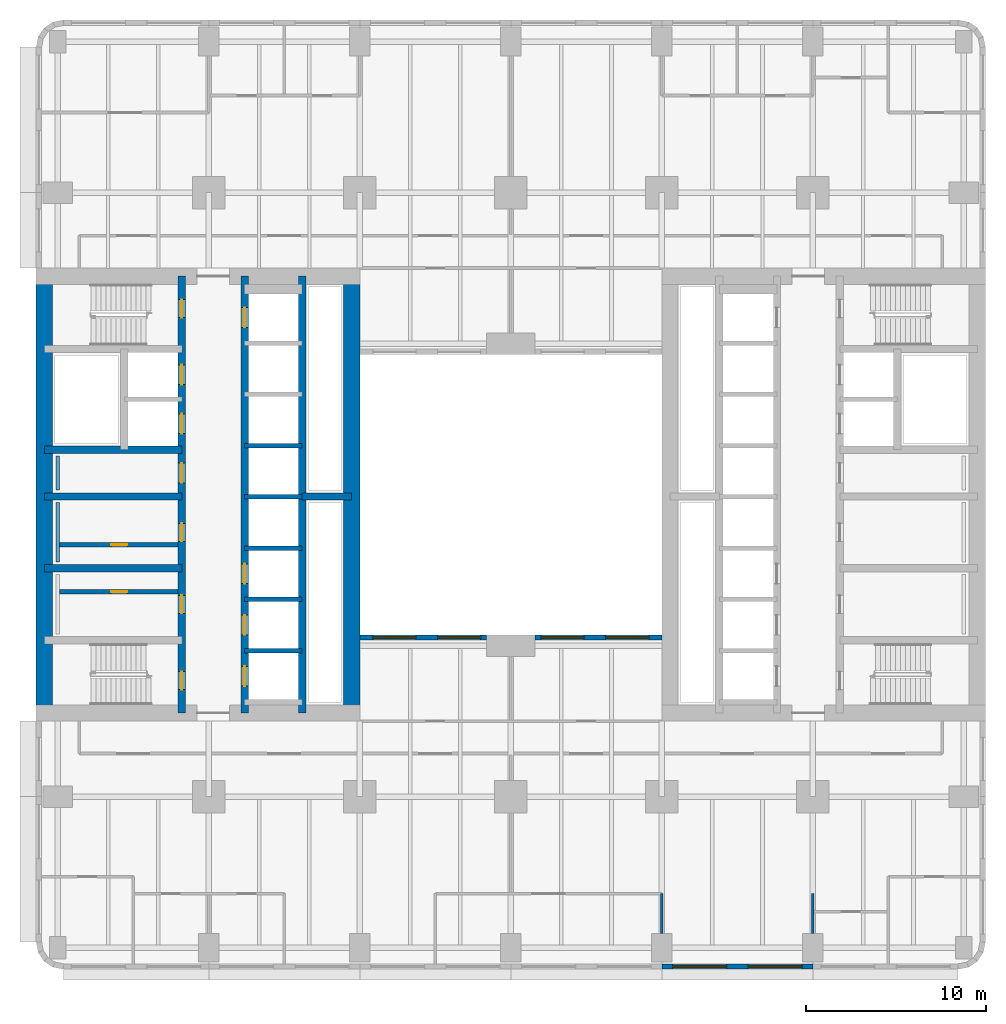
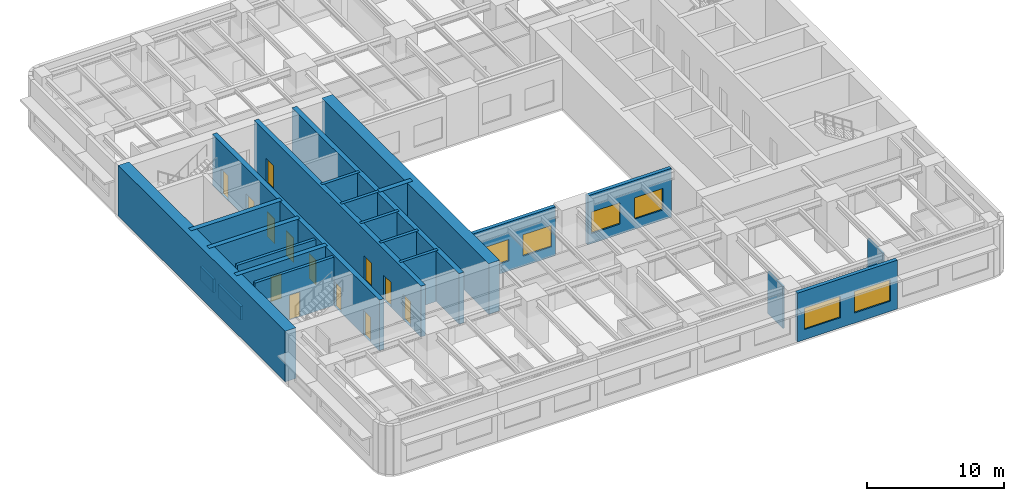
# One storey, part 4 of 12: 23 walls, 13 doors, 6 windows, 19 openings.
"""IFC4 building model written with IfcOpenShell, lengths in metres."""

from ifc_helpers import new_model, si_unit, direction, frame, frame_2d, origin, place, context, subcontext, project, spatial, rectangle, extrude, material, layer, layer_set, type_object, element, fill, save


model = new_model("IFC4")

# Units and contexts
model_context = context("Model", 3, precision=1e-05, world=origin(), true_north=direction((0.0, 1.0)))
body_context = subcontext(model_context, "Body", "Model", "MODEL_VIEW")
ifc_project = project(units=[si_unit("LENGTHUNIT", "METRE"), si_unit("AREAUNIT", "SQUARE_METRE"), si_unit("VOLUMEUNIT", "CUBIC_METRE"), si_unit("PLANEANGLEUNIT", "RADIAN"), si_unit("MASSUNIT", "GRAM", prefix="KILO")], contexts=[model_context])

# Site, building, storey
site_placement = place(None, origin())
site = spatial("IfcSite", under=ifc_project, at=site_placement, CompositionType="ELEMENT")
building_placement = place(site_placement, origin())
building = spatial("IfcBuilding", under=site, at=building_placement, Name="Claustro Exchange Tower", CompositionType="ELEMENT")
storey_placement = place(building_placement, frame((0.0, 0.0, 50.39990234375)))
storey = spatial("IfcBuildingStorey", under=building, at=storey_placement, Name="L11", CompositionType="ELEMENT", Elevation=50.39990234375)

# Walls
ifc_material_1 = material(Name="Gypsum board on steel studs", Category="steel")
ifc_layer_1 = layer(ifc_material_1, 0.14990234375)
ifc_layer_set_1 = layer_set([ifc_layer_1], Name="Gypsum board on steel studs")
wall_type_1 = type_object("IfcWallType", Name="P1 150 plasterboard partition", PredefinedType="PARTITIONING", material=ifc_layer_set_1)
for number, where, z_axis, x_axis, name in (
    (1, (33.60009765625, 0.799072265625, 0.0), (0.0, 0.0, 1.0), (0.0, 1.0, 0.0), "Partition P1 L11"),
    (2, (42.0, 0.799072265625, 0.0), (0.0, 0.0, 1.0), (0.0, 1.0, 0.0), "Partition P1 L11"),
):
    element("IfcWall", number, at=place(storey_placement, frame(where, z_axis=z_axis, x_axis=x_axis)), inside=storey, type_object=wall_type_1, Name=name, PredefinedType="PARTITIONING", context=body_context, shape_type="SweptSolid", body=[
        extrude(rectangle(XDim=2.200927734375, YDim=0.14990234375, at=frame_2d((1.1005859375, 0.0))), origin(), (0.0, 0.0, 1.0), 3.739990234375),
    ])

# Wall, opening, door
ifc_material_2 = material(Name="Concrete blockwork, rendered", Category="masonry")
ifc_layer_2 = layer(ifc_material_2, 0.25)
ifc_layer_set_2 = layer_set([ifc_layer_2], Name="Concrete blockwork, rendered")
wall_type_2 = type_object("IfcWallType", Name="P4 250 blockwork wall", PredefinedType="PARTITIONING", material=ifc_layer_set_2)
wall_1_placement = place(storey_placement, frame((0.10009765625, 22.39990234375, 0.0), z_axis=(0.0, 0.0, 1.0), x_axis=(1.0, 0.0, 0.0)))
wall_1 = element("IfcWall", 3, at=wall_1_placement, inside=storey, type_object=wall_type_2, Name="Partition P4 L11", PredefinedType="PARTITIONING", context=body_context, shape_type="SweptSolid", body=[
    extrude(rectangle(XDim=6.599853515625, YDim=0.25, at=frame_2d((3.2998046875, 0.0))), origin(), (0.0, 0.0, 1.0), 4.300048828125),
])
opening_1_placement = place(wall_1_placement, frame((2.875, 0.0, 0.0)))
opening_1 = element("IfcOpeningElement", 4, at=opening_1_placement, cuts=wall_1, Name="Opening D5", PredefinedType="OPENING", context=body_context, shape_type="SweptSolid", body=[
    extrude(rectangle(XDim=0.89990234375, YDim=2.199951171875, at=frame_2d((0.449951171875, 1.10009765625))), frame((0.0, 0.135009765625, 0.0), z_axis=(0.0, -1.0, 0.0), x_axis=(1.0, 0.0, 0.0)), (0.0, 0.0, 1.0), 0.27001953125),
])
ifc_material_3 = material(Name="Steel door, painted", Category="steel")
door_type_1 = type_object("IfcDoorType", Name="D5 900 x 2200 store door", OperationType="SINGLE_SWING_LEFT", PredefinedType="DOOR", material=ifc_material_3)
door_1_placement = place(opening_1_placement, frame((0.89990234375, 0.0, 0.0), z_axis=(0.0, 0.0, 1.0), x_axis=(-1.0, 0.0, 0.0)))
door_1 = element("IfcDoor", 5, at=door_1_placement, inside=storey, type_object=door_type_1, Name="Store door D5 L11", OperationType="SINGLE_SWING_RIGHT", OverallHeight=2.199951171875, OverallWidth=0.89990234375, PredefinedType="DOOR", context=body_context, shape_type="SweptSolid", body=[
    extrude(rectangle(XDim=0.89990234375, YDim=2.199951171875, at=frame_2d((0.449951171875, 1.10009765625))), frame((0.0, 0.02490234375, 0.0), z_axis=(0.0, -1.0, 0.0), x_axis=(1.0, 0.0, 0.0)), (0.0, 0.0, 1.0), 0.050048828125),
])
fill(opening_1, door_1)

wall_2_placement = place(storey_placement, frame((0.10009765625, 19.800048828125, 0.0), z_axis=(0.0, 0.0, 1.0), x_axis=(1.0, 0.0, 0.0)))
wall_2 = element("IfcWall", 6, at=wall_2_placement, inside=storey, type_object=wall_type_2, Name="Partition P4 L11", PredefinedType="PARTITIONING", context=body_context, shape_type="SweptSolid", body=[
    extrude(rectangle(XDim=6.599853515625, YDim=0.25, at=frame_2d((3.2998046875, 0.0))), origin(), (0.0, 0.0, 1.0), 4.300048828125),
])
opening_2_placement = place(wall_2_placement, frame((2.875, 0.0, 0.0)))
opening_2 = element("IfcOpeningElement", 7, at=opening_2_placement, cuts=wall_2, Name="Opening D5", PredefinedType="OPENING", context=body_context, shape_type="SweptSolid", body=[
    extrude(rectangle(XDim=0.89990234375, YDim=2.199951171875, at=frame_2d((0.449951171875, 1.10009765625))), frame((0.0, 0.135009765625, 0.0), z_axis=(0.0, -1.0, 0.0), x_axis=(1.0, 0.0, 0.0)), (0.0, 0.0, 1.0), 0.27001953125),
])
door_2_placement = place(opening_2_placement, origin())
door_2 = element("IfcDoor", 8, at=door_2_placement, inside=storey, type_object=door_type_1, Name="Store door D5 L11", OperationType="SINGLE_SWING_LEFT", OverallHeight=2.199951171875, OverallWidth=0.89990234375, PredefinedType="DOOR", context=body_context, shape_type="SweptSolid", body=[
    extrude(rectangle(XDim=0.89990234375, YDim=2.199951171875, at=frame_2d((0.449951171875, 1.10009765625))), frame((0.0, 0.02490234375, 0.0), z_axis=(0.0, -1.0, 0.0), x_axis=(1.0, 0.0, 0.0)), (0.0, 0.0, 1.0), 0.050048828125),
])
fill(opening_2, door_2)

# Wall, openings, windows
ifc_material_4 = material(Name="Concrete HA-40 (C40/50), precast, white cement, acid-etched", Category="concrete")
ifc_layer_3 = layer(ifc_material_4, 0.300048828125)
ifc_layer_set_3 = layer_set([ifc_layer_3], Name="Concrete HA-40 (C40/50), precast, white cement, acid-etched")
wall_type_3 = type_object("IfcWallType", Name="PC1 300 precast concrete pier panel", PredefinedType="SOLIDWALL", material=ifc_layer_set_3)
wall_3_placement = place(storey_placement, frame((42.0, -1.050048828125, 0.0), z_axis=(0.0, 0.0, 1.0), x_axis=(-1.0, 0.0, 0.0)))
wall_3 = element("IfcWall", 9, at=wall_3_placement, inside=storey, type_object=wall_type_3, Name="Precast pier panel PC1 L11", PredefinedType="SOLIDWALL", context=body_context, shape_type="SweptSolid", body=[
    extrude(rectangle(XDim=8.39990234375, YDim=0.300048828125, at=frame_2d((4.199951171875, 0.0))), origin(), (0.0, 0.0, 1.0), 4.340087890625),
])
opening_3_placement = place(wall_3_placement, frame((0.60009765625, 0.0, 0.89990234375)))
opening_3 = element("IfcOpeningElement", 10, at=opening_3_placement, cuts=wall_3, Name="Opening W1", PredefinedType="OPENING", context=body_context, shape_type="SweptSolid", body=[
    extrude(rectangle(XDim=3.0, YDim=1.89990234375, at=frame_2d((1.5, 0.949951171875))), frame((0.0, 0.159912109375, 0.0), z_axis=(0.0, -1.0, 0.0), x_axis=(1.0, 0.0, 0.0)), (0.0, 0.0, 1.0), 0.320068359375),
])
opening_4_placement = place(wall_3_placement, frame((4.800048828125, 0.0, 0.89990234375)))
opening_4 = element("IfcOpeningElement", 11, at=opening_4_placement, cuts=wall_3, Name="Opening W1", PredefinedType="OPENING", context=body_context, shape_type="SweptSolid", body=[
    extrude(rectangle(XDim=3.0, YDim=1.89990234375, at=frame_2d((1.5, 0.949951171875))), frame((0.0, 0.159912109375, 0.0), z_axis=(0.0, -1.0, 0.0), x_axis=(1.0, 0.0, 0.0)), (0.0, 0.0, 1.0), 0.320068359375),
])
ifc_material_5 = material(Name="Aluminium frame, clear double glazing", Category="aluminium")
window_type_1 = type_object("IfcWindowType", Name="W1 3000 x 1900 window", PartitioningType="SINGLE_PANEL", PredefinedType="WINDOW", material=ifc_material_5)
window_1_placement = place(opening_3_placement, origin())
window_1 = element("IfcWindow", 12, at=window_1_placement, inside=storey, type_object=window_type_1, Name="Window W1 L11", OverallHeight=1.89990234375, OverallWidth=3.0, PartitioningType="SINGLE_PANEL", PredefinedType="WINDOW", context=body_context, shape_type="SweptSolid", body=[
    extrude(rectangle(XDim=3.0, YDim=1.89990234375, at=frame_2d((1.5, 0.949951171875))), frame((0.0, 0.030029296875, 0.0), z_axis=(0.0, -1.0, 0.0), x_axis=(1.0, 0.0, 0.0)), (0.0, 0.0, 1.0), 0.06005859375),
])
fill(opening_3, window_1)
window_2_placement = place(opening_4_placement, origin())
window_2 = element("IfcWindow", 13, at=window_2_placement, inside=storey, type_object=window_type_1, Name="Window W1 L11", OverallHeight=1.89990234375, OverallWidth=3.0, PartitioningType="SINGLE_PANEL", PredefinedType="WINDOW", context=body_context, shape_type="SweptSolid", body=[
    extrude(rectangle(XDim=3.0, YDim=1.89990234375, at=frame_2d((1.5, 0.949951171875))), frame((0.0, 0.030029296875, 0.0), z_axis=(0.0, -1.0, 0.0), x_axis=(1.0, 0.0, 0.0)), (0.0, 0.0, 1.0), 0.06005859375),
])
fill(opening_4, window_2)

wall_4_placement = place(storey_placement, frame((16.800048828125, 17.25, 0.0), z_axis=(0.0, 0.0, 1.0), x_axis=(1.0, 0.0, 0.0)))
wall_4 = element("IfcWall", 14, at=wall_4_placement, inside=storey, type_object=wall_type_3, Name="Precast pier panel PC1 L11", PredefinedType="SOLIDWALL", context=body_context, shape_type="SweptSolid", body=[
    extrude(rectangle(XDim=7.050048828125, YDim=0.300048828125, at=frame_2d((3.52490234375, 0.0))), origin(), (0.0, 0.0, 1.0), 4.340087890625),
])
opening_5_placement = place(wall_4_placement, frame((0.72509765625, 0.0, 0.89990234375)))
opening_5 = element("IfcOpeningElement", 15, at=opening_5_placement, cuts=wall_4, Name="Opening W2", PredefinedType="OPENING", context=body_context, shape_type="SweptSolid", body=[
    extrude(rectangle(XDim=2.39990234375, YDim=1.89990234375, at=frame_2d((1.199951171875, 0.949951171875))), frame((0.0, 0.159912109375, 0.0), z_axis=(0.0, -1.0, 0.0), x_axis=(1.0, 0.0, 0.0)), (0.0, 0.0, 1.0), 0.320068359375),
])
opening_6_placement = place(wall_4_placement, frame((4.324951171875, 0.0, 0.89990234375)))
opening_6 = element("IfcOpeningElement", 16, at=opening_6_placement, cuts=wall_4, Name="Opening W2", PredefinedType="OPENING", context=body_context, shape_type="SweptSolid", body=[
    extrude(rectangle(XDim=2.39990234375, YDim=1.89990234375, at=frame_2d((1.199951171875, 0.949951171875))), frame((0.0, 0.159912109375, 0.0), z_axis=(0.0, -1.0, 0.0), x_axis=(1.0, 0.0, 0.0)), (0.0, 0.0, 1.0), 0.320068359375),
])
ifc_material_6 = material(Name="Aluminium frame, clear double glazing", Category="aluminium")
window_type_2 = type_object("IfcWindowType", Name="W2 2400 x 1900 window", PartitioningType="SINGLE_PANEL", PredefinedType="WINDOW", material=ifc_material_6)
window_3_placement = place(opening_5_placement, origin())
window_3 = element("IfcWindow", 17, at=window_3_placement, inside=storey, type_object=window_type_2, Name="Window W2 L11", OverallHeight=1.89990234375, OverallWidth=2.39990234375, PartitioningType="SINGLE_PANEL", PredefinedType="WINDOW", context=body_context, shape_type="SweptSolid", body=[
    extrude(rectangle(XDim=2.39990234375, YDim=1.89990234375, at=frame_2d((1.199951171875, 0.949951171875))), frame((0.0, 0.030029296875, 0.0), z_axis=(0.0, -1.0, 0.0), x_axis=(1.0, 0.0, 0.0)), (0.0, 0.0, 1.0), 0.06005859375),
])
fill(opening_5, window_3)
window_4_placement = place(opening_6_placement, origin())
window_4 = element("IfcWindow", 18, at=window_4_placement, inside=storey, type_object=window_type_2, Name="Window W2 L11", OverallHeight=1.89990234375, OverallWidth=2.39990234375, PartitioningType="SINGLE_PANEL", PredefinedType="WINDOW", context=body_context, shape_type="SweptSolid", body=[
    extrude(rectangle(XDim=2.39990234375, YDim=1.89990234375, at=frame_2d((1.199951171875, 0.949951171875))), frame((0.0, 0.030029296875, 0.0), z_axis=(0.0, -1.0, 0.0), x_axis=(1.0, 0.0, 0.0)), (0.0, 0.0, 1.0), 0.06005859375),
])
fill(opening_6, window_4)

wall_5_placement = place(storey_placement, frame((26.550048828125, 17.25, 0.0), z_axis=(0.0, 0.0, 1.0), x_axis=(1.0, 0.0, 0.0)))
wall_5 = element("IfcWall", 19, at=wall_5_placement, inside=storey, type_object=wall_type_3, Name="Precast pier panel PC1 L11", PredefinedType="SOLIDWALL", context=body_context, shape_type="SweptSolid", body=[
    extrude(rectangle(XDim=7.050048828125, YDim=0.300048828125, at=frame_2d((3.52490234375, 0.0))), origin(), (0.0, 0.0, 1.0), 4.340087890625),
])
opening_7_placement = place(wall_5_placement, frame((0.324951171875, 0.0, 0.89990234375)))
opening_7 = element("IfcOpeningElement", 20, at=opening_7_placement, cuts=wall_5, Name="Opening W2", PredefinedType="OPENING", context=body_context, shape_type="SweptSolid", body=[
    extrude(rectangle(XDim=2.39990234375, YDim=1.89990234375, at=frame_2d((1.199951171875, 0.949951171875))), frame((0.0, 0.159912109375, 0.0), z_axis=(0.0, -1.0, 0.0), x_axis=(1.0, 0.0, 0.0)), (0.0, 0.0, 1.0), 0.320068359375),
])
opening_8_placement = place(wall_5_placement, frame((3.925048828125, 0.0, 0.89990234375)))
opening_8 = element("IfcOpeningElement", 21, at=opening_8_placement, cuts=wall_5, Name="Opening W2", PredefinedType="OPENING", context=body_context, shape_type="SweptSolid", body=[
    extrude(rectangle(XDim=2.39990234375, YDim=1.89990234375, at=frame_2d((1.199951171875, 0.949951171875))), frame((0.0, 0.159912109375, 0.0), z_axis=(0.0, -1.0, 0.0), x_axis=(1.0, 0.0, 0.0)), (0.0, 0.0, 1.0), 0.320068359375),
])
window_5_placement = place(opening_7_placement, origin())
window_5 = element("IfcWindow", 22, at=window_5_placement, inside=storey, type_object=window_type_2, Name="Window W2 L11", OverallHeight=1.89990234375, OverallWidth=2.39990234375, PartitioningType="SINGLE_PANEL", PredefinedType="WINDOW", context=body_context, shape_type="SweptSolid", body=[
    extrude(rectangle(XDim=2.39990234375, YDim=1.89990234375, at=frame_2d((1.199951171875, 0.949951171875))), frame((0.0, 0.030029296875, 0.0), z_axis=(0.0, -1.0, 0.0), x_axis=(1.0, 0.0, 0.0)), (0.0, 0.0, 1.0), 0.06005859375),
])
fill(opening_7, window_5)
window_6_placement = place(opening_8_placement, origin())
window_6 = element("IfcWindow", 23, at=window_6_placement, inside=storey, type_object=window_type_2, Name="Window W2 L11", OverallHeight=1.89990234375, OverallWidth=2.39990234375, PartitioningType="SINGLE_PANEL", PredefinedType="WINDOW", context=body_context, shape_type="SweptSolid", body=[
    extrude(rectangle(XDim=2.39990234375, YDim=1.89990234375, at=frame_2d((1.199951171875, 0.949951171875))), frame((0.0, 0.030029296875, 0.0), z_axis=(0.0, -1.0, 0.0), x_axis=(1.0, 0.0, 0.0)), (0.0, 0.0, 1.0), 0.06005859375),
])
fill(opening_8, window_6)

# Walls
ifc_material_7 = material(Name="Gypsum board on steel studs, tiled", Category="steel")
ifc_layer_4 = layer(ifc_material_7, 0.199951171875)
ifc_layer_set_4 = layer_set([ifc_layer_4], Name="Gypsum board on steel studs, tiled")
wall_type_4 = type_object("IfcWallType", Name="PW1 200 WC duct wall", PredefinedType="PLUMBINGWALL", material=ifc_layer_set_4)
wall_6_placement = place(storey_placement, frame((0.0, 21.449951171875, 0.0), z_axis=(0.0, 0.0, 1.0), x_axis=(0.0, 1.0, 0.0)))
element("IfcWall", 24, at=wall_6_placement, inside=storey, type_object=wall_type_4, Name="WC duct wall PW1 L11", PredefinedType="PLUMBINGWALL", context=body_context, shape_type="SweptSolid", body=[
    extrude(rectangle(XDim=3.300048828125, YDim=0.199951171875, at=frame_2d((1.64990234375, 0.0))), origin(), (0.0, 0.0, 1.0), 1.2001953125),
])
wall_7_placement = place(storey_placement, frame((0.0, 25.449951171875, 0.0), z_axis=(0.0, 0.0, 1.0), x_axis=(0.0, 1.0, 0.0)))
element("IfcWall", 25, at=wall_7_placement, inside=storey, type_object=wall_type_4, Name="WC duct wall PW1 L11", PredefinedType="PLUMBINGWALL", context=body_context, shape_type="SweptSolid", body=[
    extrude(rectangle(XDim=1.900146484375, YDim=0.199951171875, at=frame_2d((0.9501953125, 0.0))), origin(), (0.0, 0.0, 1.0), 1.2001953125),
])
ifc_material_8 = material(Name="Concrete HA-70 (C70/85)", Category="concrete")
ifc_layer_5 = layer(ifc_material_8, 0.89990234375)
ifc_layer_set_5 = layer_set([ifc_layer_5], Name="Concrete HA-70 (C70/85)")
wall_type_5 = type_object("IfcWallType", Name="SW1X 900 exposed core shear wall, board-marked face", PredefinedType="SHEAR", material=ifc_layer_set_5)
for number, where, z_axis, x_axis, name in (
    (26, (-0.75, 13.050048828125, 0.0), (0.0, 0.0, 1.0), (0.0, 1.0, 0.0), "Core wall SW1X W core W face L11"),
    (27, (16.35009765625, 13.050048828125, 0.0), (0.0, 0.0, 1.0), (0.0, 1.0, 0.0), "Core wall SW1X W core E face L11"),
):
    element("IfcWall", number, at=place(storey_placement, frame(where, z_axis=z_axis, x_axis=x_axis)), inside=storey, type_object=wall_type_5, Name=name, PredefinedType="SHEAR", context=body_context, shape_type="SweptSolid", body=[
        extrude(rectangle(XDim=24.300048828125, YDim=0.89990234375, at=frame_2d((12.14990234375, 0.0))), origin(), (0.0, 0.0, 1.0), 4.5),
    ])

# Wall, openings, doors
ifc_material_9 = material(Name="Concrete HA-50 (C50/60)", Category="concrete")
ifc_layer_6 = layer(ifc_material_9, 0.39990234375)
ifc_layer_set_6 = layer_set([ifc_layer_6], Name="Concrete HA-50 (C50/60)")
wall_type_6 = type_object("IfcWallType", Name="SW4 400 internal core wall", PredefinedType="SHEAR", material=ifc_layer_set_6)
wall_8_placement = place(storey_placement, frame((6.89990234375, 13.050048828125, 0.0), z_axis=(0.0, 0.0, 1.0), x_axis=(0.0, 1.0, 0.0)))
wall_8 = element("IfcWall", 28, at=wall_8_placement, inside=storey, type_object=wall_type_6, Name="Internal core wall SW4 W core L11", PredefinedType="SHEAR", context=body_context, shape_type="SweptSolid", body=[
    extrude(rectangle(XDim=24.300048828125, YDim=0.39990234375, at=frame_2d((12.14990234375, 0.0))), origin(), (0.0, 0.0, 1.0), 4.5),
])
opening_9_placement = place(wall_8_placement, frame((1.300048828125, 0.0, 0.0)))
opening_9 = element("IfcOpeningElement", 29, at=opening_9_placement, cuts=wall_8, Name="Opening D4", PredefinedType="OPENING", context=body_context, shape_type="SweptSolid", body=[
    extrude(rectangle(XDim=1.0, YDim=2.199951171875, at=frame_2d((0.5, 1.10009765625))), frame((0.0, 0.2099609375, 0.0), z_axis=(0.0, -1.0, 0.0), x_axis=(1.0, 0.0, 0.0)), (0.0, 0.0, 1.0), 0.419921875),
])
opening_10_placement = place(wall_8_placement, frame((22.0, 0.0, 0.0)))
opening_10 = element("IfcOpeningElement", 30, at=opening_10_placement, cuts=wall_8, Name="Opening D4", PredefinedType="OPENING", context=body_context, shape_type="SweptSolid", body=[
    extrude(rectangle(XDim=1.0, YDim=2.199951171875, at=frame_2d((0.5, 1.10009765625))), frame((0.0, 0.2099609375, 0.0), z_axis=(0.0, -1.0, 0.0), x_axis=(1.0, 0.0, 0.0)), (0.0, 0.0, 1.0), 0.419921875),
])
opening_11_placement = place(wall_8_placement, frame((5.550048828125, 0.0, 0.0)))
opening_11 = element("IfcOpeningElement", 31, at=opening_11_placement, cuts=wall_8, Name="Opening D1", PredefinedType="OPENING", context=body_context, shape_type="SweptSolid", body=[
    extrude(rectangle(XDim=1.0, YDim=2.199951171875, at=frame_2d((0.5, 1.10009765625))), frame((0.0, 0.2099609375, 0.0), z_axis=(0.0, -1.0, 0.0), x_axis=(1.0, 0.0, 0.0)), (0.0, 0.0, 1.0), 0.419921875),
])
opening_12_placement = place(wall_8_placement, frame((9.550048828125, 0.0, 0.0)))
opening_12 = element("IfcOpeningElement", 32, at=opening_12_placement, cuts=wall_8, Name="Opening D1", PredefinedType="OPENING", context=body_context, shape_type="SweptSolid", body=[
    extrude(rectangle(XDim=1.0, YDim=2.199951171875, at=frame_2d((0.5, 1.10009765625))), frame((0.0, 0.2099609375, 0.0), z_axis=(0.0, -1.0, 0.0), x_axis=(1.0, 0.0, 0.0)), (0.0, 0.0, 1.0), 0.419921875),
])
opening_13_placement = place(wall_8_placement, frame((12.800048828125, 0.0, 0.0)))
opening_13 = element("IfcOpeningElement", 33, at=opening_13_placement, cuts=wall_8, Name="Opening D10", PredefinedType="OPENING", context=body_context, shape_type="SweptSolid", body=[
    extrude(rectangle(XDim=1.10009765625, YDim=2.199951171875, at=frame_2d((0.550048828125, 1.10009765625))), frame((0.0, 0.2099609375, 0.0), z_axis=(0.0, -1.0, 0.0), x_axis=(1.0, 0.0, 0.0)), (0.0, 0.0, 1.0), 0.419921875),
])
opening_14_placement = place(wall_8_placement, frame((15.53759765625, 0.0, 0.0)))
opening_14 = element("IfcOpeningElement", 34, at=opening_14_placement, cuts=wall_8, Name="Opening LD", PredefinedType="OPENING", context=body_context, shape_type="SweptSolid", body=[
    extrude(rectangle(XDim=1.10009765625, YDim=2.199951171875, at=frame_2d((0.550048828125, 1.10009765625))), frame((0.0, 0.2099609375, 0.0), z_axis=(0.0, -1.0, 0.0), x_axis=(1.0, 0.0, 0.0)), (0.0, 0.0, 1.0), 0.419921875),
])
opening_15_placement = place(wall_8_placement, frame((18.262451171875, 0.0, 0.0)))
opening_15 = element("IfcOpeningElement", 35, at=opening_15_placement, cuts=wall_8, Name="Opening LD", PredefinedType="OPENING", context=body_context, shape_type="SweptSolid", body=[
    extrude(rectangle(XDim=1.10009765625, YDim=2.199951171875, at=frame_2d((0.550048828125, 1.10009765625))), frame((0.0, 0.2099609375, 0.0), z_axis=(0.0, -1.0, 0.0), x_axis=(1.0, 0.0, 0.0)), (0.0, 0.0, 1.0), 0.419921875),
])
ifc_material_10 = material(Name="Timber door, oak veneer", Category="wood")
door_type_2 = type_object("IfcDoorType", Name="D1 1000 x 2200 single door", OperationType="SINGLE_SWING_LEFT", PredefinedType="DOOR", material=ifc_material_10)
door_3_placement = place(opening_11_placement, origin())
door_3 = element("IfcDoor", 36, at=door_3_placement, inside=storey, type_object=door_type_2, Name="Door D1 L11", OperationType="SINGLE_SWING_RIGHT", OverallHeight=2.199951171875, OverallWidth=1.0, PredefinedType="DOOR", context=body_context, shape_type="SweptSolid", body=[
    extrude(rectangle(XDim=1.0, YDim=2.199951171875, at=frame_2d((0.5, 1.10009765625))), frame((0.0, 0.02490234375, 0.0), z_axis=(0.0, -1.0, 0.0), x_axis=(1.0, 0.0, 0.0)), (0.0, 0.0, 1.0), 0.050048828125),
])
fill(opening_11, door_3)
door_4_placement = place(opening_12_placement, origin())
door_4 = element("IfcDoor", 37, at=door_4_placement, inside=storey, type_object=door_type_2, Name="Door D1 L11", OperationType="SINGLE_SWING_LEFT", OverallHeight=2.199951171875, OverallWidth=1.0, PredefinedType="DOOR", context=body_context, shape_type="SweptSolid", body=[
    extrude(rectangle(XDim=1.0, YDim=2.199951171875, at=frame_2d((0.5, 1.10009765625))), frame((0.0, 0.02490234375, 0.0), z_axis=(0.0, -1.0, 0.0), x_axis=(1.0, 0.0, 0.0)), (0.0, 0.0, 1.0), 0.050048828125),
])
fill(opening_12, door_4)
ifc_material_11 = material(Name="Timber door, oak veneer", Category="wood")
door_type_3 = type_object("IfcDoorType", Name="D10 1100 x 2200 accessible WC door", OperationType="SINGLE_SWING_LEFT", PredefinedType="DOOR", material=ifc_material_11)
door_5_placement = place(opening_13_placement, frame((1.10009765625, 0.0, 0.0), z_axis=(0.0, 0.0, 1.0), x_axis=(-1.0, 0.0, 0.0)))
door_5 = element("IfcDoor", 38, at=door_5_placement, inside=storey, type_object=door_type_3, Name="Accessible WC door D10 L11", OperationType="SINGLE_SWING_LEFT", OverallHeight=2.199951171875, OverallWidth=1.10009765625, PredefinedType="DOOR", context=body_context, shape_type="SweptSolid", body=[
    extrude(rectangle(XDim=1.10009765625, YDim=2.199951171875, at=frame_2d((0.550048828125, 1.10009765625))), frame((0.0, 0.02490234375, 0.0), z_axis=(0.0, -1.0, 0.0), x_axis=(1.0, 0.0, 0.0)), (0.0, 0.0, 1.0), 0.050048828125),
])
fill(opening_13, door_5)
ifc_material_12 = material(Name="Steel fire door, painted", Category="steel")
door_type_4 = type_object("IfcDoorType", Name="D4 1000 x 2200 fire-rated stair door", OperationType="SINGLE_SWING_LEFT", PredefinedType="DOOR", material=ifc_material_12)
door_6_placement = place(opening_9_placement, origin())
door_6 = element("IfcDoor", 39, at=door_6_placement, inside=storey, type_object=door_type_4, Name="Stair door D4 L11", OperationType="SINGLE_SWING_LEFT", OverallHeight=2.199951171875, OverallWidth=1.0, PredefinedType="DOOR", context=body_context, shape_type="SweptSolid", body=[
    extrude(rectangle(XDim=1.0, YDim=2.199951171875, at=frame_2d((0.5, 1.10009765625))), frame((0.0, 0.02490234375, 0.0), z_axis=(0.0, -1.0, 0.0), x_axis=(1.0, 0.0, 0.0)), (0.0, 0.0, 1.0), 0.050048828125),
])
fill(opening_9, door_6)
door_7_placement = place(opening_10_placement, origin())
door_7 = element("IfcDoor", 40, at=door_7_placement, inside=storey, type_object=door_type_4, Name="Stair door D4 L11", OperationType="SINGLE_SWING_RIGHT", OverallHeight=2.199951171875, OverallWidth=1.0, PredefinedType="DOOR", context=body_context, shape_type="SweptSolid", body=[
    extrude(rectangle(XDim=1.0, YDim=2.199951171875, at=frame_2d((0.5, 1.10009765625))), frame((0.0, 0.02490234375, 0.0), z_axis=(0.0, -1.0, 0.0), x_axis=(1.0, 0.0, 0.0)), (0.0, 0.0, 1.0), 0.050048828125),
])
fill(opening_10, door_7)
ifc_material_13 = material(Name="Stainless steel sliding door", Category="steel")
door_type_5 = type_object("IfcDoorType", Name="LD 1100 x 2200 lift landing door", OperationType="DOUBLE_DOOR_SLIDING", PredefinedType="DOOR", material=ifc_material_13)
door_8_placement = place(opening_14_placement, origin())
door_8 = element("IfcDoor", 41, at=door_8_placement, inside=storey, type_object=door_type_5, Name="Lift landing door LEW1 LD L11", OperationType="DOUBLE_DOOR_SLIDING", OverallHeight=2.199951171875, OverallWidth=1.10009765625, PredefinedType="DOOR", context=body_context, shape_type="SweptSolid", body=[
    extrude(rectangle(XDim=1.10009765625, YDim=2.199951171875, at=frame_2d((0.550048828125, 1.10009765625))), frame((0.0, 0.02490234375, 0.0), z_axis=(0.0, -1.0, 0.0), x_axis=(1.0, 0.0, 0.0)), (0.0, 0.0, 1.0), 0.050048828125),
])
fill(opening_14, door_8)
door_9_placement = place(opening_15_placement, origin())
door_9 = element("IfcDoor", 42, at=door_9_placement, inside=storey, type_object=door_type_5, Name="Lift landing door LEW2 LD L11", OperationType="DOUBLE_DOOR_SLIDING", OverallHeight=2.199951171875, OverallWidth=1.10009765625, PredefinedType="DOOR", context=body_context, shape_type="SweptSolid", body=[
    extrude(rectangle(XDim=1.10009765625, YDim=2.199951171875, at=frame_2d((0.550048828125, 1.10009765625))), frame((0.0, 0.02490234375, 0.0), z_axis=(0.0, -1.0, 0.0), x_axis=(1.0, 0.0, 0.0)), (0.0, 0.0, 1.0), 0.050048828125),
])
fill(opening_15, door_9)

wall_9_placement = place(storey_placement, frame((10.39990234375, 13.050048828125, 0.0), z_axis=(0.0, 0.0, 1.0), x_axis=(0.0, 1.0, 0.0)))
wall_9 = element("IfcWall", 43, at=wall_9_placement, inside=storey, type_object=wall_type_6, Name="Internal core wall SW4 W core L11", PredefinedType="SHEAR", context=body_context, shape_type="SweptSolid", body=[
    extrude(rectangle(XDim=24.300048828125, YDim=0.39990234375, at=frame_2d((12.14990234375, 0.0))), origin(), (0.0, 0.0, 1.0), 4.5),
])
opening_16_placement = place(wall_9_placement, frame((1.5, 0.0, 0.0)))
opening_16 = element("IfcOpeningElement", 44, at=opening_16_placement, cuts=wall_9, Name="Opening LD", PredefinedType="OPENING", context=body_context, shape_type="SweptSolid", body=[
    extrude(rectangle(XDim=1.10009765625, YDim=2.199951171875, at=frame_2d((0.550048828125, 1.10009765625))), frame((0.0, 0.2099609375, 0.0), z_axis=(0.0, -1.0, 0.0), x_axis=(1.0, 0.0, 0.0)), (0.0, 0.0, 1.0), 0.419921875),
])
opening_17_placement = place(wall_9_placement, frame((4.35009765625, 0.0, 0.0)))
opening_17 = element("IfcOpeningElement", 45, at=opening_17_placement, cuts=wall_9, Name="Opening LD", PredefinedType="OPENING", context=body_context, shape_type="SweptSolid", body=[
    extrude(rectangle(XDim=1.10009765625, YDim=2.199951171875, at=frame_2d((0.550048828125, 1.10009765625))), frame((0.0, 0.2099609375, 0.0), z_axis=(0.0, -1.0, 0.0), x_axis=(1.0, 0.0, 0.0)), (0.0, 0.0, 1.0), 0.419921875),
])
opening_18_placement = place(wall_9_placement, frame((7.199951171875, 0.0, 0.0)))
opening_18 = element("IfcOpeningElement", 46, at=opening_18_placement, cuts=wall_9, Name="Opening LD", PredefinedType="OPENING", context=body_context, shape_type="SweptSolid", body=[
    extrude(rectangle(XDim=1.10009765625, YDim=2.199951171875, at=frame_2d((0.550048828125, 1.10009765625))), frame((0.0, 0.2099609375, 0.0), z_axis=(0.0, -1.0, 0.0), x_axis=(1.0, 0.0, 0.0)), (0.0, 0.0, 1.0), 0.419921875),
])
opening_19_placement = place(wall_9_placement, frame((21.449951171875, 0.0, 0.0)))
opening_19 = element("IfcOpeningElement", 47, at=opening_19_placement, cuts=wall_9, Name="Opening LD", PredefinedType="OPENING", context=body_context, shape_type="SweptSolid", body=[
    extrude(rectangle(XDim=1.10009765625, YDim=2.199951171875, at=frame_2d((0.550048828125, 1.10009765625))), frame((0.0, 0.2099609375, 0.0), z_axis=(0.0, -1.0, 0.0), x_axis=(1.0, 0.0, 0.0)), (0.0, 0.0, 1.0), 0.419921875),
])
door_10_placement = place(opening_16_placement, origin())
door_10 = element("IfcDoor", 48, at=door_10_placement, inside=storey, type_object=door_type_5, Name="Lift landing door LLW1 LD L11", OperationType="DOUBLE_DOOR_SLIDING", OverallHeight=2.199951171875, OverallWidth=1.10009765625, PredefinedType="DOOR", context=body_context, shape_type="SweptSolid", body=[
    extrude(rectangle(XDim=1.10009765625, YDim=2.199951171875, at=frame_2d((0.550048828125, 1.10009765625))), frame((0.0, 0.02490234375, 0.0), z_axis=(0.0, -1.0, 0.0), x_axis=(1.0, 0.0, 0.0)), (0.0, 0.0, 1.0), 0.050048828125),
])
fill(opening_16, door_10)
door_11_placement = place(opening_17_placement, origin())
door_11 = element("IfcDoor", 49, at=door_11_placement, inside=storey, type_object=door_type_5, Name="Lift landing door LLW2 LD L11", OperationType="DOUBLE_DOOR_SLIDING", OverallHeight=2.199951171875, OverallWidth=1.10009765625, PredefinedType="DOOR", context=body_context, shape_type="SweptSolid", body=[
    extrude(rectangle(XDim=1.10009765625, YDim=2.199951171875, at=frame_2d((0.550048828125, 1.10009765625))), frame((0.0, 0.02490234375, 0.0), z_axis=(0.0, -1.0, 0.0), x_axis=(1.0, 0.0, 0.0)), (0.0, 0.0, 1.0), 0.050048828125),
])
fill(opening_17, door_11)
door_12_placement = place(opening_18_placement, origin())
door_12 = element("IfcDoor", 50, at=door_12_placement, inside=storey, type_object=door_type_5, Name="Lift landing door LLW3 LD L11", OperationType="DOUBLE_DOOR_SLIDING", OverallHeight=2.199951171875, OverallWidth=1.10009765625, PredefinedType="DOOR", context=body_context, shape_type="SweptSolid", body=[
    extrude(rectangle(XDim=1.10009765625, YDim=2.199951171875, at=frame_2d((0.550048828125, 1.10009765625))), frame((0.0, 0.02490234375, 0.0), z_axis=(0.0, -1.0, 0.0), x_axis=(1.0, 0.0, 0.0)), (0.0, 0.0, 1.0), 0.050048828125),
])
fill(opening_18, door_12)
door_13_placement = place(opening_19_placement, origin())
door_13 = element("IfcDoor", 51, at=door_13_placement, inside=storey, type_object=door_type_5, Name="Lift landing door LSW1 LD L11", OperationType="DOUBLE_DOOR_SLIDING", OverallHeight=2.199951171875, OverallWidth=1.10009765625, PredefinedType="DOOR", context=body_context, shape_type="SweptSolid", body=[
    extrude(rectangle(XDim=1.10009765625, YDim=2.199951171875, at=frame_2d((0.550048828125, 1.10009765625))), frame((0.0, 0.02490234375, 0.0), z_axis=(0.0, -1.0, 0.0), x_axis=(1.0, 0.0, 0.0)), (0.0, 0.0, 1.0), 0.050048828125),
])
fill(opening_19, door_13)

# Walls
wall_10_placement = place(storey_placement, frame((13.60009765625, 13.050048828125, 0.0), z_axis=(0.0, 0.0, 1.0), x_axis=(0.0, 1.0, 0.0)))
element("IfcWall", 52, at=wall_10_placement, inside=storey, type_object=wall_type_6, Name="Internal core wall SW4 W core L11", PredefinedType="SHEAR", context=body_context, shape_type="SweptSolid", body=[
    extrude(rectangle(XDim=24.300048828125, YDim=0.39990234375, at=frame_2d((12.14990234375, 0.0))), origin(), (0.0, 0.0, 1.0), 4.5),
])
for number, where, z_axis, x_axis, name in (
    (53, (-0.75, 21.10009765625, 0.0), (0.0, 0.0, 1.0), (1.0, 0.0, 0.0), "Internal core wall SW4 W core L11"),
    (54, (-0.75, 25.10009765625, 0.0), (0.0, 0.0, 1.0), (1.0, 0.0, 0.0), "Internal core wall SW4 W core L11"),
    (55, (-0.75, 27.699951171875, 0.0), (0.0, 0.0, 1.0), (1.0, 0.0, 0.0), "Internal core wall SW4 W core L11"),
):
    element("IfcWall", number, at=place(storey_placement, frame(where, z_axis=z_axis, x_axis=x_axis)), inside=storey, type_object=wall_type_6, Name=name, PredefinedType="SHEAR", context=body_context, shape_type="SweptSolid", body=[
        extrude(rectangle(XDim=7.64990234375, YDim=0.39990234375, at=frame_2d((3.824951171875, 0.0))), origin(), (0.0, 0.0, 1.0), 4.5),
    ])
wall_11_placement = place(storey_placement, frame((13.60009765625, 25.10009765625, 0.0), z_axis=(0.0, 0.0, 1.0), x_axis=(1.0, 0.0, 0.0)))
element("IfcWall", 56, at=wall_11_placement, inside=storey, type_object=wall_type_6, Name="Internal core wall SW4 W core L11", PredefinedType="SHEAR", context=body_context, shape_type="SweptSolid", body=[
    extrude(rectangle(XDim=2.75, YDim=0.39990234375, at=frame_2d((1.375, 0.0))), origin(), (0.0, 0.0, 1.0), 4.5),
])
ifc_material_14 = material(Name="Concrete HA-50 (C50/60)", Category="concrete")
ifc_layer_7 = layer(ifc_material_14, 0.25)
ifc_layer_set_7 = layer_set([ifc_layer_7], Name="Concrete HA-50 (C50/60)")
wall_type_7 = type_object("IfcWallType", Name="SW5 250 lift shaft divider wall", PredefinedType="SHEAR", material=ifc_layer_set_7)
for number, where, z_axis, x_axis, name in (
    (57, (10.39990234375, 16.52490234375, 0.0), (0.0, 0.0, 1.0), (1.0, 0.0, 0.0), "Lift shaft wall W core L11"),
    (58, (10.39990234375, 19.375, 0.0), (0.0, 0.0, 1.0), (1.0, 0.0, 0.0), "Lift shaft wall W core L11"),
    (59, (10.39990234375, 22.22509765625, 0.0), (0.0, 0.0, 1.0), (1.0, 0.0, 0.0), "Lift shaft wall W core L11"),
    (60, (10.39990234375, 25.074951171875, 0.0), (0.0, 0.0, 1.0), (1.0, 0.0, 0.0), "Lift shaft wall W core L11"),
    (61, (10.39990234375, 27.925048828125, 0.0), (0.0, 0.0, 1.0), (1.0, 0.0, 0.0), "Lift shaft wall W core L11"),
):
    element("IfcWall", number, at=place(storey_placement, frame(where, z_axis=z_axis, x_axis=x_axis)), inside=storey, type_object=wall_type_7, Name=name, PredefinedType="SHEAR", context=body_context, shape_type="SweptSolid", body=[
        extrude(rectangle(XDim=3.2001953125, YDim=0.25, at=frame_2d((1.60009765625, 0.0))), origin(), (0.0, 0.0, 1.0), 4.5),
    ])

save(model, "model.ifc")
